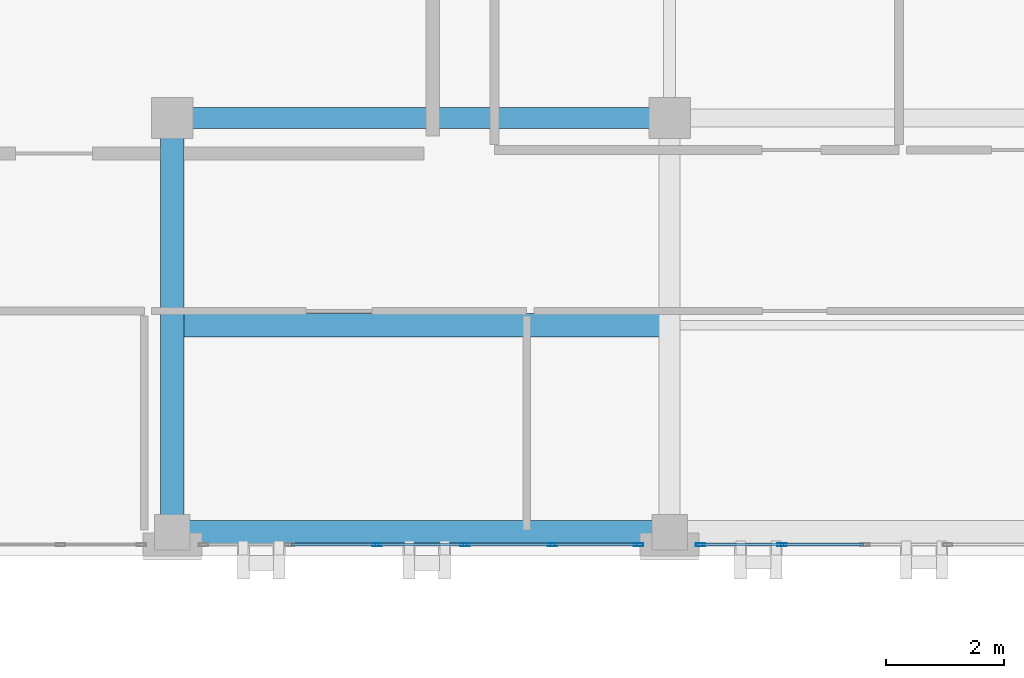
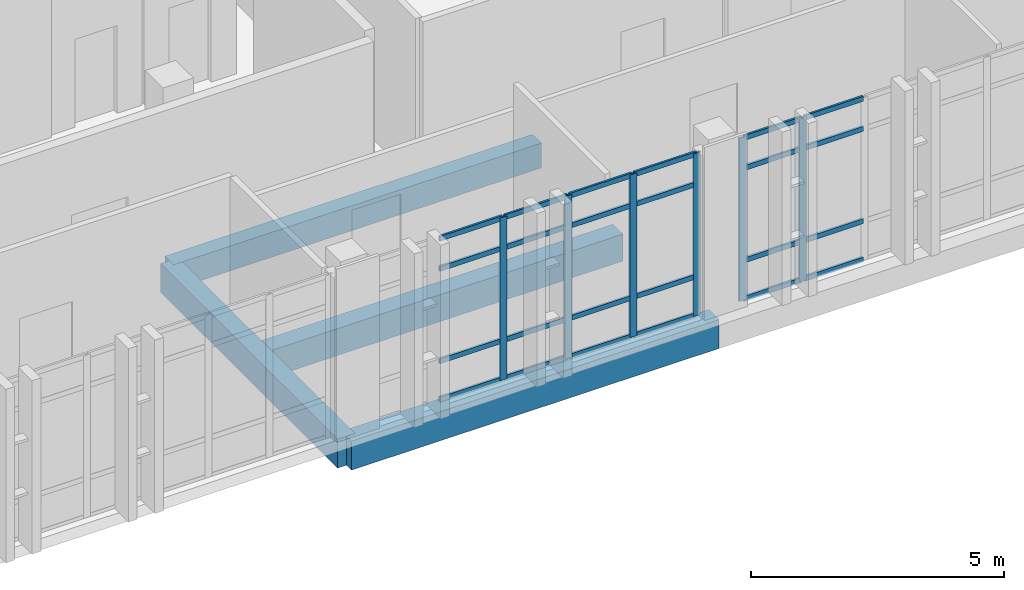
# One storey, part 40 of 90: 30 members, 4 beams, 2 elements without a shape of their own.
"""IFC4 building model written with IfcOpenShell, lengths in metres."""

from ifc_helpers import new_model, si_unit, direction, frame, origin, origin_2d, place, context, subcontext, project, spatial, rectangle, hollow_rectangle, extrude, material, layer, layer_set, material_profile, profile_set, type_object, element, aggregate, save


model = new_model("IFC4")

# Units and contexts
model_context = context("Model", 3, precision=1e-05, world=origin(), true_north=direction((0.0, 1.0)))
body_context = subcontext(model_context, "Body", "Model", "MODEL_VIEW")
ifc_project = project(units=[si_unit("LENGTHUNIT", "METRE"), si_unit("AREAUNIT", "SQUARE_METRE"), si_unit("VOLUMEUNIT", "CUBIC_METRE"), si_unit("PLANEANGLEUNIT", "RADIAN"), si_unit("MASSUNIT", "GRAM", prefix="KILO")], contexts=[model_context])

# Site, building, storey
site_placement = place(None, origin())
site = spatial("IfcSite", under=ifc_project, at=site_placement, CompositionType="ELEMENT")
building_placement = place(site_placement, origin())
building = spatial("IfcBuilding", under=site, at=building_placement, Name="Qalavern Law Courts", CompositionType="ELEMENT")
storey_placement = place(building_placement, frame((0.0, 0.0, 22.800048828125)))
storey = spatial("IfcBuildingStorey", under=building, at=storey_placement, Name="L05", CompositionType="ELEMENT", Elevation=22.800048828125)

# Curtain wall, members
ifc_material_1 = material(Name="Anodised aluminium and insulated glazing", Category="aluminium")
ifc_layer = layer(ifc_material_1, 0.166015625)
ifc_layer_set = layer_set([ifc_layer], Name="Anodised aluminium and insulated glazing")
curtain_wall_type = type_object("IfcCurtainWallType", Name="ENV-CW-LIB", PredefinedType="USERDEFINED", material=ifc_layer_set)
curtain_wall_1_placement = place(storey_placement, origin())
curtain_wall_1 = element("IfcCurtainWall", 1, at=curtain_wall_1_placement, inside=storey, type_object=curtain_wall_type, Name="V5 unitised curtain wall L05 south 2", ObjectType="UNITISED CURTAIN WALL", PredefinedType="USERDEFINED")
ifc_material_2 = material(Name="Anodised aluminium", Category="aluminium")
ifc_material_profile_1 = material_profile(ifc_material_2, hollow_rectangle(XDim=0.048095703125, YDim=0.159912109375, WallThickness=0.00390625, at=origin_2d()), Name="ALU MULLION 48x160")
ifc_profile_set_1 = profile_set([ifc_material_profile_1], Name="Anodised aluminium")
member_type_1 = type_object("IfcMemberType", Name="ENV-CWM-48x160", PredefinedType="MULLION", material=ifc_profile_set_1)
member_1_placement = place(storey_placement, frame((31.860107421875, 96.392578125, 0.0), z_axis=(0.0, 0.0, 1.0), x_axis=(0.0, 1.0, 0.0)))
member_1 = element("IfcMember", 2, at=member_1_placement, type_object=member_type_1, Name="CW-05 mullion 3", PredefinedType="MULLION", context=body_context, shape_type="SweptSolid", body=[
    extrude(hollow_rectangle(XDim=0.048095703125, YDim=0.159912109375, WallThickness=0.00390625, at=origin_2d()), origin(), (0.0, 0.0, 1.0), 3.929931640625),
])
member_2_placement = place(storey_placement, frame((33.340087890625, 96.392578125, 0.0), z_axis=(0.0, 0.0, 1.0), x_axis=(0.0, 1.0, 0.0)))
member_2 = element("IfcMember", 3, at=member_2_placement, type_object=member_type_1, Name="CW-05 mullion 4", PredefinedType="MULLION", context=body_context, shape_type="SweptSolid", body=[
    extrude(hollow_rectangle(XDim=0.048095703125, YDim=0.159912109375, WallThickness=0.00390625, at=origin_2d()), origin(), (0.0, 0.0, 1.0), 3.929931640625),
])
member_3_placement = place(storey_placement, frame((34.820068359375, 96.392578125, 0.0), z_axis=(0.0, 0.0, 1.0), x_axis=(0.0, 1.0, 0.0)))
member_3 = element("IfcMember", 4, at=member_3_placement, type_object=member_type_1, Name="CW-05 mullion 5", PredefinedType="MULLION", context=body_context, shape_type="SweptSolid", body=[
    extrude(hollow_rectangle(XDim=0.048095703125, YDim=0.159912109375, WallThickness=0.00390625, at=origin_2d()), origin(), (0.0, 0.0, 1.0), 3.929931640625),
])
member_4_placement = place(storey_placement, frame((36.27587890625, 96.392578125, 0.0), z_axis=(0.0, 0.0, 1.0), x_axis=(0.0, 1.0, 0.0)))
member_4 = element("IfcMember", 5, at=member_4_placement, type_object=member_type_1, Name="CW-05 mullion 6", PredefinedType="MULLION", context=body_context, shape_type="SweptSolid", body=[
    extrude(hollow_rectangle(XDim=0.048095703125, YDim=0.159912109375, WallThickness=0.00390625, at=origin_2d()), origin(), (0.0, 0.0, 1.0), 3.929931640625),
])

curtain_wall_2_placement = place(storey_placement, origin())
curtain_wall_2 = element("IfcCurtainWall", 6, at=curtain_wall_2_placement, inside=storey, type_object=curtain_wall_type, Name="V5 unitised curtain wall L05 south 3", ObjectType="UNITISED CURTAIN WALL", PredefinedType="USERDEFINED")
member_5_placement = place(storey_placement, frame((37.323974609375, 96.392578125, 0.0), z_axis=(0.0, 0.0, 1.0), x_axis=(0.0, 1.0, 0.0)))
member_5 = element("IfcMember", 7, at=member_5_placement, type_object=member_type_1, Name="CW-05 mullion 1", PredefinedType="MULLION", context=body_context, shape_type="SweptSolid", body=[
    extrude(hollow_rectangle(XDim=0.048095703125, YDim=0.159912109375, WallThickness=0.00390625, at=origin_2d()), origin(), (0.0, 0.0, 1.0), 3.929931640625),
])
member_6_placement = place(storey_placement, frame((38.699951171875, 96.392578125, 0.0), z_axis=(0.0, 0.0, 1.0), x_axis=(0.0, 1.0, 0.0)))
member_6 = element("IfcMember", 8, at=member_6_placement, type_object=member_type_1, Name="CW-05 mullion 2", PredefinedType="MULLION", context=body_context, shape_type="SweptSolid", body=[
    extrude(hollow_rectangle(XDim=0.048095703125, YDim=0.159912109375, WallThickness=0.00390625, at=origin_2d()), origin(), (0.0, 0.0, 1.0), 3.929931640625),
])

# Member
ifc_material_profile_2 = material_profile(ifc_material_2, hollow_rectangle(XDim=0.048095703125, YDim=0.1201171875, WallThickness=0.00390625, at=origin_2d()), Name="ALU TRANSOM 48x120")
ifc_profile_set_2 = profile_set([ifc_material_profile_2], Name="Anodised aluminium")
member_type_2 = type_object("IfcMemberType", Name="ENV-CWT-48x120", PredefinedType="USERDEFINED", material=ifc_profile_set_2)
member_7_placement = place(storey_placement, frame((30.404052734375, 96.392578125, 0.02392578125), z_axis=(1.0, 0.0, 0.0), x_axis=(0.0, 1.0, 0.0)))
member_7 = element("IfcMember", 9, at=member_7_placement, type_object=member_type_2, Name="CW-05 transom 2.1", ObjectType="TRANSOM", PredefinedType="USERDEFINED", context=body_context, shape_type="SweptSolid", body=[
    extrude(hollow_rectangle(XDim=0.048095703125, YDim=0.1201171875, WallThickness=0.00390625, at=origin_2d()), origin(), (0.0, 0.0, 1.0), 1.431884765625),
])

member_8_placement = place(storey_placement, frame((30.404052734375, 96.392578125, 0.949951171875), z_axis=(1.0, 0.0, 0.0), x_axis=(0.0, 1.0, 0.0)))
member_8 = element("IfcMember", 10, at=member_8_placement, type_object=member_type_2, Name="CW-05 transom 2.2", ObjectType="TRANSOM", PredefinedType="USERDEFINED", context=body_context, shape_type="SweptSolid", body=[
    extrude(hollow_rectangle(XDim=0.048095703125, YDim=0.1201171875, WallThickness=0.00390625, at=origin_2d()), origin(), (0.0, 0.0, 1.0), 1.431884765625),
])

member_9_placement = place(storey_placement, frame((30.404052734375, 96.392578125, 3.179931640625), z_axis=(1.0, 0.0, 0.0), x_axis=(0.0, 1.0, 0.0)))
member_9 = element("IfcMember", 11, at=member_9_placement, type_object=member_type_2, Name="CW-05 transom 2.3", ObjectType="TRANSOM", PredefinedType="USERDEFINED", context=body_context, shape_type="SweptSolid", body=[
    extrude(hollow_rectangle(XDim=0.048095703125, YDim=0.1201171875, WallThickness=0.00390625, at=origin_2d()), origin(), (0.0, 0.0, 1.0), 1.431884765625),
])

member_10_placement = place(storey_placement, frame((30.404052734375, 96.392578125, 3.906005859375), z_axis=(1.0, 0.0, 0.0), x_axis=(0.0, 1.0, 0.0)))
member_10 = element("IfcMember", 12, at=member_10_placement, type_object=member_type_2, Name="CW-05 transom 2.4", ObjectType="TRANSOM", PredefinedType="USERDEFINED", context=body_context, shape_type="SweptSolid", body=[
    extrude(hollow_rectangle(XDim=0.048095703125, YDim=0.1201171875, WallThickness=0.00390625, at=origin_2d()), origin(), (0.0, 0.0, 1.0), 1.431884765625),
])

member_11_placement = place(storey_placement, frame((31.884033203125, 96.392578125, 0.02392578125), z_axis=(1.0, 0.0, 0.0), x_axis=(0.0, 1.0, 0.0)))
member_11 = element("IfcMember", 13, at=member_11_placement, type_object=member_type_2, Name="CW-05 transom 3.1", ObjectType="TRANSOM", PredefinedType="USERDEFINED", context=body_context, shape_type="SweptSolid", body=[
    extrude(hollow_rectangle(XDim=0.048095703125, YDim=0.1201171875, WallThickness=0.00390625, at=origin_2d()), origin(), (0.0, 0.0, 1.0), 1.431884765625),
])

member_12_placement = place(storey_placement, frame((31.884033203125, 96.392578125, 0.949951171875), z_axis=(1.0, 0.0, 0.0), x_axis=(0.0, 1.0, 0.0)))
member_12 = element("IfcMember", 14, at=member_12_placement, type_object=member_type_2, Name="CW-05 transom 3.2", ObjectType="TRANSOM", PredefinedType="USERDEFINED", context=body_context, shape_type="SweptSolid", body=[
    extrude(hollow_rectangle(XDim=0.048095703125, YDim=0.1201171875, WallThickness=0.00390625, at=origin_2d()), origin(), (0.0, 0.0, 1.0), 1.431884765625),
])

member_13_placement = place(storey_placement, frame((31.884033203125, 96.392578125, 3.179931640625), z_axis=(1.0, 0.0, 0.0), x_axis=(0.0, 1.0, 0.0)))
member_13 = element("IfcMember", 15, at=member_13_placement, type_object=member_type_2, Name="CW-05 transom 3.3", ObjectType="TRANSOM", PredefinedType="USERDEFINED", context=body_context, shape_type="SweptSolid", body=[
    extrude(hollow_rectangle(XDim=0.048095703125, YDim=0.1201171875, WallThickness=0.00390625, at=origin_2d()), origin(), (0.0, 0.0, 1.0), 1.431884765625),
])

member_14_placement = place(storey_placement, frame((31.884033203125, 96.392578125, 3.906005859375), z_axis=(1.0, 0.0, 0.0), x_axis=(0.0, 1.0, 0.0)))
member_14 = element("IfcMember", 16, at=member_14_placement, type_object=member_type_2, Name="CW-05 transom 3.4", ObjectType="TRANSOM", PredefinedType="USERDEFINED", context=body_context, shape_type="SweptSolid", body=[
    extrude(hollow_rectangle(XDim=0.048095703125, YDim=0.1201171875, WallThickness=0.00390625, at=origin_2d()), origin(), (0.0, 0.0, 1.0), 1.431884765625),
])

member_15_placement = place(storey_placement, frame((33.364013671875, 96.392578125, 0.02392578125), z_axis=(1.0, 0.0, 0.0), x_axis=(0.0, 1.0, 0.0)))
member_15 = element("IfcMember", 17, at=member_15_placement, type_object=member_type_2, Name="CW-05 transom 4.1", ObjectType="TRANSOM", PredefinedType="USERDEFINED", context=body_context, shape_type="SweptSolid", body=[
    extrude(hollow_rectangle(XDim=0.048095703125, YDim=0.1201171875, WallThickness=0.00390625, at=origin_2d()), origin(), (0.0, 0.0, 1.0), 1.431884765625),
])

member_16_placement = place(storey_placement, frame((33.364013671875, 96.392578125, 0.949951171875), z_axis=(1.0, 0.0, 0.0), x_axis=(0.0, 1.0, 0.0)))
member_16 = element("IfcMember", 18, at=member_16_placement, type_object=member_type_2, Name="CW-05 transom 4.2", ObjectType="TRANSOM", PredefinedType="USERDEFINED", context=body_context, shape_type="SweptSolid", body=[
    extrude(hollow_rectangle(XDim=0.048095703125, YDim=0.1201171875, WallThickness=0.00390625, at=origin_2d()), origin(), (0.0, 0.0, 1.0), 1.431884765625),
])

member_17_placement = place(storey_placement, frame((33.364013671875, 96.392578125, 3.179931640625), z_axis=(1.0, 0.0, 0.0), x_axis=(0.0, 1.0, 0.0)))
member_17 = element("IfcMember", 19, at=member_17_placement, type_object=member_type_2, Name="CW-05 transom 4.3", ObjectType="TRANSOM", PredefinedType="USERDEFINED", context=body_context, shape_type="SweptSolid", body=[
    extrude(hollow_rectangle(XDim=0.048095703125, YDim=0.1201171875, WallThickness=0.00390625, at=origin_2d()), origin(), (0.0, 0.0, 1.0), 1.431884765625),
])

member_18_placement = place(storey_placement, frame((33.364013671875, 96.392578125, 3.906005859375), z_axis=(1.0, 0.0, 0.0), x_axis=(0.0, 1.0, 0.0)))
member_18 = element("IfcMember", 20, at=member_18_placement, type_object=member_type_2, Name="CW-05 transom 4.4", ObjectType="TRANSOM", PredefinedType="USERDEFINED", context=body_context, shape_type="SweptSolid", body=[
    extrude(hollow_rectangle(XDim=0.048095703125, YDim=0.1201171875, WallThickness=0.00390625, at=origin_2d()), origin(), (0.0, 0.0, 1.0), 1.431884765625),
])

member_19_placement = place(storey_placement, frame((34.843994140625, 96.392578125, 0.02392578125), z_axis=(1.0, 0.0, 0.0), x_axis=(0.0, 1.0, 0.0)))
member_19 = element("IfcMember", 21, at=member_19_placement, type_object=member_type_2, Name="CW-05 transom 5.1", ObjectType="TRANSOM", PredefinedType="USERDEFINED", context=body_context, shape_type="SweptSolid", body=[
    extrude(hollow_rectangle(XDim=0.048095703125, YDim=0.1201171875, WallThickness=0.00390625, at=origin_2d()), origin(), (0.0, 0.0, 1.0), 1.407958984375),
])

member_20_placement = place(storey_placement, frame((34.843994140625, 96.392578125, 0.949951171875), z_axis=(1.0, 0.0, 0.0), x_axis=(0.0, 1.0, 0.0)))
member_20 = element("IfcMember", 22, at=member_20_placement, type_object=member_type_2, Name="CW-05 transom 5.2", ObjectType="TRANSOM", PredefinedType="USERDEFINED", context=body_context, shape_type="SweptSolid", body=[
    extrude(hollow_rectangle(XDim=0.048095703125, YDim=0.1201171875, WallThickness=0.00390625, at=origin_2d()), origin(), (0.0, 0.0, 1.0), 1.407958984375),
])

member_21_placement = place(storey_placement, frame((34.843994140625, 96.392578125, 3.179931640625), z_axis=(1.0, 0.0, 0.0), x_axis=(0.0, 1.0, 0.0)))
member_21 = element("IfcMember", 23, at=member_21_placement, type_object=member_type_2, Name="CW-05 transom 5.3", ObjectType="TRANSOM", PredefinedType="USERDEFINED", context=body_context, shape_type="SweptSolid", body=[
    extrude(hollow_rectangle(XDim=0.048095703125, YDim=0.1201171875, WallThickness=0.00390625, at=origin_2d()), origin(), (0.0, 0.0, 1.0), 1.407958984375),
])

member_22_placement = place(storey_placement, frame((34.843994140625, 96.392578125, 3.906005859375), z_axis=(1.0, 0.0, 0.0), x_axis=(0.0, 1.0, 0.0)))
member_22 = element("IfcMember", 24, at=member_22_placement, type_object=member_type_2, Name="CW-05 transom 5.4", ObjectType="TRANSOM", PredefinedType="USERDEFINED", context=body_context, shape_type="SweptSolid", body=[
    extrude(hollow_rectangle(XDim=0.048095703125, YDim=0.1201171875, WallThickness=0.00390625, at=origin_2d()), origin(), (0.0, 0.0, 1.0), 1.407958984375),
])

aggregate(curtain_wall_1, [member_1, member_2, member_3, member_4, member_7, member_8, member_9, member_10, member_11, member_12, member_13, member_14, member_15, member_16, member_17, member_18, member_19, member_20, member_21, member_22])

member_23_placement = place(storey_placement, frame((37.347900390625, 96.392578125, 0.02392578125), z_axis=(1.0, 0.0, 0.0), x_axis=(0.0, 1.0, 0.0)))
member_23 = element("IfcMember", 25, at=member_23_placement, type_object=member_type_2, Name="CW-05 transom 1.1", ObjectType="TRANSOM", PredefinedType="USERDEFINED", context=body_context, shape_type="SweptSolid", body=[
    extrude(hollow_rectangle(XDim=0.048095703125, YDim=0.1201171875, WallThickness=0.00390625, at=origin_2d()), origin(), (0.0, 0.0, 1.0), 1.328125),
])

member_24_placement = place(storey_placement, frame((37.347900390625, 96.392578125, 0.949951171875), z_axis=(1.0, 0.0, 0.0), x_axis=(0.0, 1.0, 0.0)))
member_24 = element("IfcMember", 26, at=member_24_placement, type_object=member_type_2, Name="CW-05 transom 1.2", ObjectType="TRANSOM", PredefinedType="USERDEFINED", context=body_context, shape_type="SweptSolid", body=[
    extrude(hollow_rectangle(XDim=0.048095703125, YDim=0.1201171875, WallThickness=0.00390625, at=origin_2d()), origin(), (0.0, 0.0, 1.0), 1.328125),
])

member_25_placement = place(storey_placement, frame((37.347900390625, 96.392578125, 3.179931640625), z_axis=(1.0, 0.0, 0.0), x_axis=(0.0, 1.0, 0.0)))
member_25 = element("IfcMember", 27, at=member_25_placement, type_object=member_type_2, Name="CW-05 transom 1.3", ObjectType="TRANSOM", PredefinedType="USERDEFINED", context=body_context, shape_type="SweptSolid", body=[
    extrude(hollow_rectangle(XDim=0.048095703125, YDim=0.1201171875, WallThickness=0.00390625, at=origin_2d()), origin(), (0.0, 0.0, 1.0), 1.328125),
])

member_26_placement = place(storey_placement, frame((37.347900390625, 96.392578125, 3.906005859375), z_axis=(1.0, 0.0, 0.0), x_axis=(0.0, 1.0, 0.0)))
member_26 = element("IfcMember", 28, at=member_26_placement, type_object=member_type_2, Name="CW-05 transom 1.4", ObjectType="TRANSOM", PredefinedType="USERDEFINED", context=body_context, shape_type="SweptSolid", body=[
    extrude(hollow_rectangle(XDim=0.048095703125, YDim=0.1201171875, WallThickness=0.00390625, at=origin_2d()), origin(), (0.0, 0.0, 1.0), 1.328125),
])

member_27_placement = place(storey_placement, frame((38.72412109375, 96.392578125, 0.02392578125), z_axis=(1.0, 0.0, 0.0), x_axis=(0.0, 1.0, 0.0)))
member_27 = element("IfcMember", 29, at=member_27_placement, type_object=member_type_2, Name="CW-05 transom 2.1", ObjectType="TRANSOM", PredefinedType="USERDEFINED", context=body_context, shape_type="SweptSolid", body=[
    extrude(hollow_rectangle(XDim=0.048095703125, YDim=0.1201171875, WallThickness=0.00390625, at=origin_2d()), origin(), (0.0, 0.0, 1.0), 1.351806640625),
])

member_28_placement = place(storey_placement, frame((38.72412109375, 96.392578125, 0.949951171875), z_axis=(1.0, 0.0, 0.0), x_axis=(0.0, 1.0, 0.0)))
member_28 = element("IfcMember", 30, at=member_28_placement, type_object=member_type_2, Name="CW-05 transom 2.2", ObjectType="TRANSOM", PredefinedType="USERDEFINED", context=body_context, shape_type="SweptSolid", body=[
    extrude(hollow_rectangle(XDim=0.048095703125, YDim=0.1201171875, WallThickness=0.00390625, at=origin_2d()), origin(), (0.0, 0.0, 1.0), 1.351806640625),
])

member_29_placement = place(storey_placement, frame((38.72412109375, 96.392578125, 3.179931640625), z_axis=(1.0, 0.0, 0.0), x_axis=(0.0, 1.0, 0.0)))
member_29 = element("IfcMember", 31, at=member_29_placement, type_object=member_type_2, Name="CW-05 transom 2.3", ObjectType="TRANSOM", PredefinedType="USERDEFINED", context=body_context, shape_type="SweptSolid", body=[
    extrude(hollow_rectangle(XDim=0.048095703125, YDim=0.1201171875, WallThickness=0.00390625, at=origin_2d()), origin(), (0.0, 0.0, 1.0), 1.351806640625),
])

member_30_placement = place(storey_placement, frame((38.72412109375, 96.392578125, 3.906005859375), z_axis=(1.0, 0.0, 0.0), x_axis=(0.0, 1.0, 0.0)))
member_30 = element("IfcMember", 32, at=member_30_placement, type_object=member_type_2, Name="CW-05 transom 2.4", ObjectType="TRANSOM", PredefinedType="USERDEFINED", context=body_context, shape_type="SweptSolid", body=[
    extrude(hollow_rectangle(XDim=0.048095703125, YDim=0.1201171875, WallThickness=0.00390625, at=origin_2d()), origin(), (0.0, 0.0, 1.0), 1.351806640625),
])

aggregate(curtain_wall_2, [member_5, member_6, member_23, member_24, member_25, member_26, member_27, member_28, member_29, member_30])

# Beams
ifc_material_3 = material(Name="Concrete C35/45", Category="concrete")
ifc_material_profile_3 = material_profile(ifc_material_3, rectangle(XDim=0.35009765625, YDim=0.60009765625, at=origin_2d()), Name="RC 350x600")
ifc_profile_set_3 = profile_set([ifc_material_profile_3], Name="Concrete C35/45")
beam_type_1 = type_object("IfcBeamType", Name="STR-BM-RC350x600", PredefinedType="BEAM", material=ifc_profile_set_3)
beam_1_placement = place(storey_placement, frame((28.39990234375, 103.60009765625, -0.595947265625), z_axis=(1.0, 0.0, 0.0), x_axis=(0.0, 1.0, 0.0)))
element("IfcBeam", 33, at=beam_1_placement, inside=storey, type_object=beam_type_1, Name="V5 X-beam 2-1 L05", PredefinedType="BEAM", context=body_context, shape_type="SweptSolid", body=[
    extrude(rectangle(XDim=0.35009765625, YDim=0.60009765625, at=origin_2d()), origin(), (0.0, 0.0, 1.0), 8.400146484375),
])
ifc_material_profile_4 = material_profile(ifc_material_3, rectangle(XDim=0.39990234375, YDim=0.64990234375, at=origin_2d()), Name="RC 400x650")
ifc_profile_set_4 = profile_set([ifc_material_profile_4], Name="Concrete C35/45")
beam_type_2 = type_object("IfcBeamType", Name="STR-JST-RC400x650", PredefinedType="JOIST", material=ifc_profile_set_4)
beam_2_placement = place(storey_placement, frame((28.597900390625, 100.10009765625, -0.62109375), z_axis=(1.0, 0.0, 0.0), x_axis=(0.0, 1.0, 0.0)))
element("IfcBeam", 34, at=beam_2_placement, inside=storey, type_object=beam_type_2, Name="V5 secondary joist 1.1.1 L05", PredefinedType="JOIST", context=body_context, shape_type="SweptSolid", body=[
    extrude(rectangle(XDim=0.39990234375, YDim=0.64990234375, at=origin_2d()), origin(), (0.0, 0.0, 1.0), 8.029052734375),
])
ifc_material_4 = material(Name="Concrete C40/50", Category="concrete")
ifc_material_profile_5 = material_profile(ifc_material_4, rectangle(XDim=0.39990234375, YDim=0.699951171875, at=origin_2d()), Name="RC 400x700")
ifc_profile_set_5 = profile_set([ifc_material_profile_5], Name="Concrete C40/50")
beam_type_3 = type_object("IfcBeamType", Name="STR-SP-RC400x700", PredefinedType="SPANDREL", material=ifc_profile_set_5)
beam_3_placement = place(storey_placement, frame((28.39990234375, 96.60009765625, -0.64599609375), z_axis=(1.0, 0.0, 0.0), x_axis=(0.0, 1.0, 0.0)))
element("IfcBeam", 35, at=beam_3_placement, inside=storey, type_object=beam_type_3, Name="V5 X-beam 1-1 L05", PredefinedType="SPANDREL", context=body_context, shape_type="SweptSolid", body=[
    extrude(rectangle(XDim=0.39990234375, YDim=0.699951171875, at=origin_2d()), origin(), (0.0, 0.0, 1.0), 8.400146484375),
])
beam_4_placement = place(storey_placement, frame((28.39990234375, 96.60009765625, -0.64599609375), z_axis=(0.0, 1.0, 0.0), x_axis=(-1.0, 0.0, 0.0)))
element("IfcBeam", 36, at=beam_4_placement, inside=storey, type_object=beam_type_3, Name="V5 Y-beam 1-1 L05", PredefinedType="SPANDREL", context=body_context, shape_type="SweptSolid", body=[
    extrude(rectangle(XDim=0.39990234375, YDim=0.699951171875, at=origin_2d()), origin(), (0.0, 0.0, 1.0), 7.0),
])

save(model, "model.ifc")
